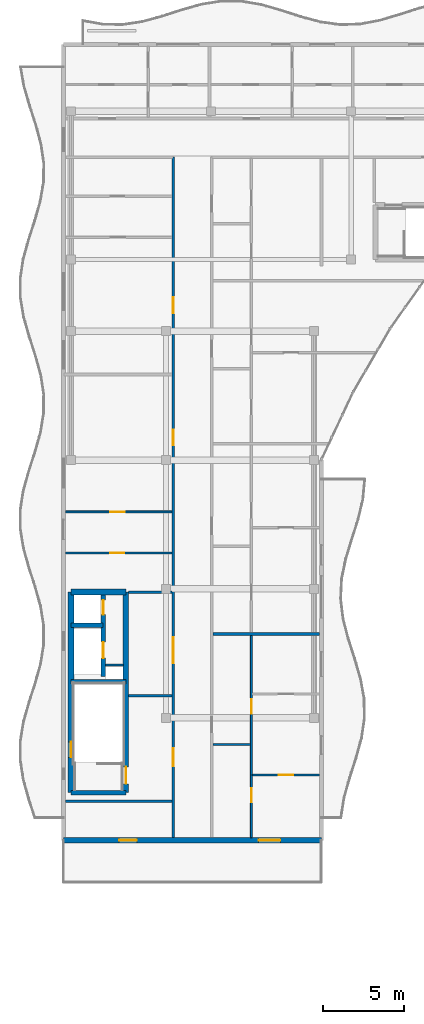
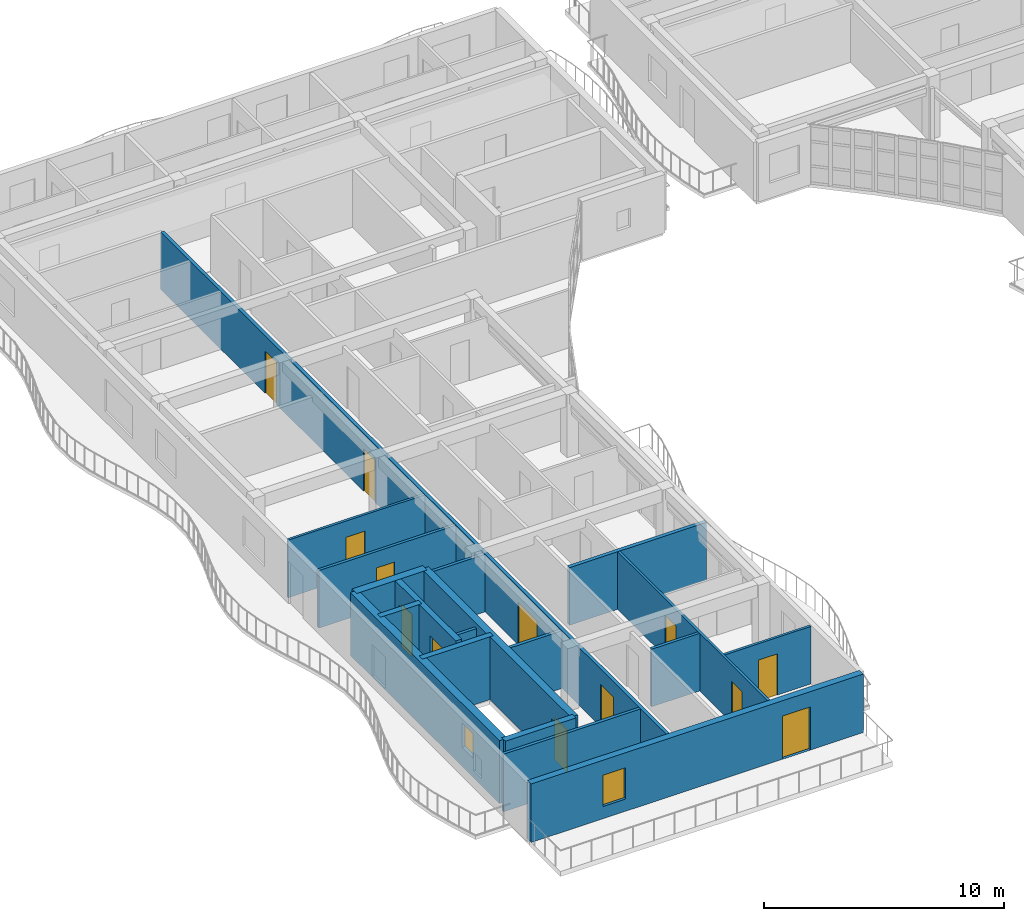
# One storey, part 28 of 68: 19 walls, 13 doors, 2 windows, 15 openings.
"""IFC4 building model written with IfcOpenShell, lengths in metres."""

from ifc_helpers import new_model, si_unit, direction, frame, frame_2d, origin, place, context, subcontext, project, spatial, rectangle, extrude, material, layer, layer_set, type_object, element, fill, save


model = new_model("IFC4")

# Units and contexts
model_context = context("Model", 3, precision=1e-05, world=origin(), true_north=direction((0.0, 1.0)))
body_context = subcontext(model_context, "Body", "Model", "MODEL_VIEW")
ifc_project = project(units=[si_unit("LENGTHUNIT", "METRE"), si_unit("AREAUNIT", "SQUARE_METRE"), si_unit("VOLUMEUNIT", "CUBIC_METRE"), si_unit("PLANEANGLEUNIT", "RADIAN"), si_unit("MASSUNIT", "GRAM", prefix="KILO")], contexts=[model_context])

# Site, building, storey
site_placement = place(None, origin())
site = spatial("IfcSite", under=ifc_project, at=site_placement, CompositionType="ELEMENT")
building_placement = place(site_placement, origin())
building = spatial("IfcBuilding", under=site, at=building_placement, Name="Keldmere Railside Commons", CompositionType="ELEMENT")
storey_placement = place(building_placement, frame((0.0, 0.0, 23.360107421875)))
storey = spatial("IfcBuildingStorey", under=building, at=storey_placement, Name="L07", CompositionType="ELEMENT", Elevation=23.360107421875)

# Wall
ifc_material_1 = material(Name="Acoustic Gypsum Board Partition", Category="gypsum")
ifc_layer_1 = layer(ifc_material_1, 0.179931640625, Name="Acoustic Demising Partition 180")
ifc_layer_set_1 = layer_set([ifc_layer_1], Name="Acoustic Gypsum Board Partition")
wall_type_1 = type_object("IfcWallType", Name="Acoustic Demising Partition 180", PredefinedType="PARTITIONING", material=ifc_layer_set_1)
wall_1_placement = place(storey_placement, frame((17.280029296875, 77.2099609375, 0.0), z_axis=(0.0, 0.0, 1.0), x_axis=(1.0, 0.0, 0.0)))
element("IfcWall", 1, at=wall_1_placement, inside=storey, type_object=wall_type_1, Name="IW-1 IW-L07-0452", PredefinedType="PARTITIONING", context=body_context, shape_type="SweptSolid", body=[
    extrude(rectangle(XDim=6.599853515625, YDim=0.179931640625, at=frame_2d((3.2998046875, 0.0))), origin(), (0.0, 0.0, 1.0), 2.934814453125),
])

# Wall, openings, doors
ifc_layer_2 = layer(ifc_material_1, 0.1201171875, Name="Apartment Interior Partition 120")
ifc_layer_set_2 = layer_set([ifc_layer_2], Name="Acoustic Gypsum Board Partition")
wall_type_2 = type_object("IfcWallType", Name="Apartment Interior Partition 120", PredefinedType="PARTITIONING", material=ifc_layer_set_2)
wall_2_placement = place(storey_placement, frame((19.659912109375, 64.56005859375, 0.0), z_axis=(0.0, 0.0, 1.0), x_axis=(0.0, 1.0, 0.0)))
wall_2 = element("IfcWall", 2, at=wall_2_placement, inside=storey, type_object=wall_type_2, Name="IW-4 IW-L07-0455", PredefinedType="PARTITIONING", context=body_context, shape_type="SweptSolid", body=[
    extrude(rectangle(XDim=12.56005859375, YDim=0.1201171875, at=frame_2d((6.280029296875, 0.0))), origin(), (0.0, 0.0, 1.0), 2.934814453125),
])
opening_1_placement = place(wall_2_placement, frame((2.1962890625, 0.0, 0.0)))
opening_1 = element("IfcOpeningElement", 3, at=opening_1_placement, cuts=wall_2, Name="Opening ID-04", PredefinedType="OPENING", context=body_context, shape_type="SweptSolid", body=[
    extrude(rectangle(XDim=0.860107421875, YDim=2.10009765625, at=frame_2d((0.43017578125, 1.050048828125))), frame((0.0, 0.070068359375, 0.0), z_axis=(0.0, -1.0, 0.0), x_axis=(1.0, 0.0, 0.0)), (0.0, 0.0, 1.0), 0.14013671875),
])
opening_2_placement = place(wall_2_placement, frame((7.678466796875, 0.0, 0.0)))
opening_2 = element("IfcOpeningElement", 4, at=opening_2_placement, cuts=wall_2, Name="Opening ID-03", PredefinedType="OPENING", context=body_context, shape_type="SweptSolid", body=[
    extrude(rectangle(XDim=0.919921875, YDim=2.10009765625, at=frame_2d((0.4599609375, 1.050048828125))), frame((0.0, 0.070068359375, 0.0), z_axis=(0.0, -1.0, 0.0), x_axis=(1.0, 0.0, 0.0)), (0.0, 0.0, 1.0), 0.14013671875),
])
ifc_material_2 = material(Name="Engineered Oak Timber", Category="wood")
door_type_1 = type_object("IfcDoorType", Name="Apartment Bathroom Door 860x2100", OperationType="NOTDEFINED", PredefinedType="DOOR", material=ifc_material_2)
door_1_placement = place(opening_1_placement, origin())
door_1 = element("IfcDoor", 5, at=door_1_placement, inside=storey, type_object=door_type_1, Name="ID-04 IDR-L07-0349", OperationType="SINGLE_SWING_LEFT", OverallHeight=2.10009765625, OverallWidth=0.860107421875, PredefinedType="DOOR", context=body_context, shape_type="SweptSolid", body=[
    extrude(rectangle(XDim=0.860107421875, YDim=2.10009765625, at=frame_2d((0.43017578125, 1.050048828125))), frame((0.0, 0.02490234375, 0.0), z_axis=(0.0, -1.0, 0.0), x_axis=(1.0, 0.0, 0.0)), (0.0, 0.0, 1.0), 0.050048828125),
])
fill(opening_1, door_1)
door_type_2 = type_object("IfcDoorType", Name="Kitchen Pocket-Frame Swing Door 920x2100", OperationType="NOTDEFINED", PredefinedType="DOOR", material=ifc_material_2)
door_2_placement = place(opening_2_placement, origin())
door_2 = element("IfcDoor", 6, at=door_2_placement, inside=storey, type_object=door_type_2, Name="ID-03 IDR-L07-0350", OperationType="SINGLE_SWING_RIGHT", OverallHeight=2.10009765625, OverallWidth=0.919921875, PredefinedType="DOOR", context=body_context, shape_type="SweptSolid", body=[
    extrude(rectangle(XDim=0.919921875, YDim=2.10009765625, at=frame_2d((0.4599609375, 1.050048828125))), frame((0.0, 0.02490234375, 0.0), z_axis=(0.0, -1.0, 0.0), x_axis=(1.0, 0.0, 0.0)), (0.0, 0.0, 1.0), 0.050048828125),
])
fill(opening_2, door_2)

# Wall, opening, door
wall_3_placement = place(storey_placement, frame((19.719970703125, 68.449951171875, 0.0), z_axis=(0.0, 0.0, 1.0), x_axis=(1.0, 0.0, 0.0)))
wall_3 = element("IfcWall", 7, at=wall_3_placement, inside=storey, type_object=wall_type_2, Name="IW-4 IW-L07-0457", PredefinedType="PARTITIONING", context=body_context, shape_type="SweptSolid", body=[
    extrude(rectangle(XDim=4.159912109375, YDim=0.1201171875, at=frame_2d((2.080078125, 0.0))), origin(), (0.0, 0.0, 1.0), 2.934814453125),
])
opening_3_placement = place(wall_3_placement, frame((1.6298828125, 0.0, 0.0)))
opening_3 = element("IfcOpeningElement", 8, at=opening_3_placement, cuts=wall_3, Name="Opening ID-01", PredefinedType="OPENING", context=body_context, shape_type="SweptSolid", body=[
    extrude(rectangle(XDim=0.89990234375, YDim=2.10009765625, at=frame_2d((0.449951171875, 1.050048828125))), frame((0.0, 0.070068359375, 0.0), z_axis=(0.0, -1.0, 0.0), x_axis=(1.0, 0.0, 0.0)), (0.0, 0.0, 1.0), 0.14013671875),
])
door_type_3 = type_object("IfcDoorType", Name="Primary Bedroom Door 900x2100", OperationType="NOTDEFINED", PredefinedType="DOOR", material=ifc_material_2)
door_3_placement = place(opening_3_placement, origin())
door_3 = element("IfcDoor", 9, at=door_3_placement, inside=storey, type_object=door_type_3, Name="ID-01 IDR-L07-0352", OperationType="SINGLE_SWING_RIGHT", OverallHeight=2.10009765625, OverallWidth=0.89990234375, PredefinedType="DOOR", context=body_context, shape_type="SweptSolid", body=[
    extrude(rectangle(XDim=0.89990234375, YDim=2.10009765625, at=frame_2d((0.449951171875, 1.050048828125))), frame((0.0, 0.02490234375, 0.0), z_axis=(0.0, -1.0, 0.0), x_axis=(1.0, 0.0, 0.0)), (0.0, 0.0, 1.0), 0.050048828125),
])
fill(opening_3, door_3)

wall_4_placement = place(storey_placement, frame((8.1201171875, 84.780029296875, 0.0), z_axis=(0.0, 0.0, 1.0), x_axis=(1.0, 0.0, 0.0)))
wall_4 = element("IfcWall", 10, at=wall_4_placement, inside=storey, type_object=wall_type_2, Name="IW-4 IW-L07-0480", PredefinedType="PARTITIONING", context=body_context, shape_type="SweptSolid", body=[
    extrude(rectangle(XDim=6.599853515625, YDim=0.1201171875, at=frame_2d((3.2998046875, 0.0))), origin(), (0.0, 0.0, 1.0), 2.934814453125),
])
opening_4_placement = place(wall_4_placement, frame((2.77197265625, 0.0, 0.0)))
opening_4 = element("IfcOpeningElement", 11, at=opening_4_placement, cuts=wall_4, Name="Opening ID-03", PredefinedType="OPENING", context=body_context, shape_type="SweptSolid", body=[
    extrude(rectangle(XDim=0.919921875, YDim=2.10009765625, at=frame_2d((0.4599609375, 1.050048828125))), frame((0.0, 0.070068359375, 0.0), z_axis=(0.0, -1.0, 0.0), x_axis=(1.0, 0.0, 0.0)), (0.0, 0.0, 1.0), 0.14013671875),
])
door_4_placement = place(opening_4_placement, origin())
door_4 = element("IfcDoor", 12, at=door_4_placement, inside=storey, type_object=door_type_2, Name="ID-03 IDR-L07-0381", OperationType="SINGLE_SWING_LEFT", OverallHeight=2.10009765625, OverallWidth=0.919921875, PredefinedType="DOOR", context=body_context, shape_type="SweptSolid", body=[
    extrude(rectangle(XDim=0.919921875, YDim=2.10009765625, at=frame_2d((0.4599609375, 1.050048828125))), frame((0.0, 0.02490234375, 0.0), z_axis=(0.0, -1.0, 0.0), x_axis=(1.0, 0.0, 0.0)), (0.0, 0.0, 1.0), 0.050048828125),
])
fill(opening_4, door_4)

# Walls
ifc_material_3 = material(Name="Concrete H-35 (C35/45)", Category="concrete")
ifc_layer_3 = layer(ifc_material_3, 0.280029296875, Name="Core Shear Wall 280")
ifc_layer_set_3 = layer_set([ifc_layer_3], Name="Concrete H-35 (C35/45)")
wall_type_3 = type_object("IfcWallType", Name="Core Shear Wall 280", PredefinedType="SHEAR", material=ifc_layer_set_3)
wall_5_placement = place(storey_placement, frame((8.4599609375, 74.239990234375, 0.0), z_axis=(0.0, 0.0, 1.0), x_axis=(1.0, 0.0, 0.0)))
element("IfcWall", 13, at=wall_5_placement, inside=storey, type_object=wall_type_3, Name="CSW-2 COREDM-L07-0115", PredefinedType="SHEAR", context=body_context, shape_type="SweptSolid", body=[
    extrude(rectangle(XDim=3.41015625, YDim=0.280029296875, at=frame_2d((1.705078125, 0.0))), origin(), (0.0, 0.0, 1.0), 3.199951171875),
])
wall_6_placement = place(storey_placement, frame((8.4599609375, 77.75, 0.0), z_axis=(0.0, 0.0, 1.0), x_axis=(1.0, 0.0, 0.0)))
element("IfcWall", 14, at=wall_6_placement, inside=storey, type_object=wall_type_3, Name="CSW-2 COREDL-L07-0116", PredefinedType="SHEAR", context=body_context, shape_type="SweptSolid", body=[
    extrude(rectangle(XDim=2.0, YDim=0.280029296875, at=frame_2d((1.0, 0.0))), origin(), (0.0, 0.0, 1.0), 3.199951171875),
])

# Wall, openings, doors
wall_7_placement = place(storey_placement, frame((10.4599609375, 74.550048828125, 0.0), z_axis=(0.0, 0.0, 1.0), x_axis=(0.0, 1.0, 0.0)))
wall_7 = element("IfcWall", 15, at=wall_7_placement, inside=storey, type_object=wall_type_3, Name="CSW-2 LSHD-L07-0117", PredefinedType="SHEAR", context=body_context, shape_type="SweptSolid", body=[
    extrude(rectangle(XDim=5.25, YDim=0.280029296875, at=frame_2d((2.625, 0.0))), origin(), (0.0, 0.0, 1.0), 3.199951171875),
])
opening_5_placement = place(wall_7_placement, frame((1.14990234375, 0.0, 0.0)))
opening_5 = element("IfcOpeningElement", 16, at=opening_5_placement, cuts=wall_7, Name="Opening LD-1", PredefinedType="OPENING", context=body_context, shape_type="SweptSolid", body=[
    extrude(rectangle(XDim=1.0, YDim=2.14990234375, at=frame_2d((0.5, 1.074951171875))), frame((0.0, 0.14990234375, 0.0), z_axis=(0.0, -1.0, 0.0), x_axis=(1.0, 0.0, 0.0)), (0.0, 0.0, 1.0), 0.300048828125),
])
opening_6_placement = place(wall_7_placement, frame((3.85009765625, 0.0, 0.0)))
opening_6 = element("IfcOpeningElement", 17, at=opening_6_placement, cuts=wall_7, Name="Opening LD-2", PredefinedType="OPENING", context=body_context, shape_type="SweptSolid", body=[
    extrude(rectangle(XDim=0.89990234375, YDim=2.14990234375, at=frame_2d((0.449951171875, 1.074951171875))), frame((0.0, 0.14990234375, 0.0), z_axis=(0.0, -1.0, 0.0), x_axis=(1.0, 0.0, 0.0)), (0.0, 0.0, 1.0), 0.300048828125),
])
ifc_material_4 = material(Name="Steel F-24 (S235)", Category="steel")
door_type_4 = type_object("IfcDoorType", Name="Firefighting Stretcher Lift Landing Door 1000x2150", OperationType="SLIDING_TO_LEFT", PredefinedType="DOOR", material=ifc_material_4)
door_5_placement = place(opening_5_placement, origin())
door_5 = element("IfcDoor", 18, at=door_5_placement, inside=storey, type_object=door_type_4, Name="LD-1 D L07", OperationType="SLIDING_TO_LEFT", OverallHeight=2.14990234375, OverallWidth=1.0, PredefinedType="DOOR", context=body_context, shape_type="SweptSolid", body=[
    extrude(rectangle(XDim=1.0, YDim=2.14990234375, at=frame_2d((0.5, 1.074951171875))), frame((0.0, 0.02490234375, 0.0), z_axis=(0.0, -1.0, 0.0), x_axis=(1.0, 0.0, 0.0)), (0.0, 0.0, 1.0), 0.050048828125),
])
fill(opening_5, door_5)
door_type_5 = type_object("IfcDoorType", Name="Passenger Lift Sliding Landing Door 900x2150", OperationType="SLIDING_TO_RIGHT", PredefinedType="DOOR", material=ifc_material_4)
door_6_placement = place(opening_6_placement, origin())
door_6 = element("IfcDoor", 19, at=door_6_placement, inside=storey, type_object=door_type_5, Name="LD-2 D L07", OperationType="SLIDING_TO_RIGHT", OverallHeight=2.14990234375, OverallWidth=0.89990234375, PredefinedType="DOOR", context=body_context, shape_type="SweptSolid", body=[
    extrude(rectangle(XDim=0.89990234375, YDim=2.14990234375, at=frame_2d((0.449951171875, 1.074951171875))), frame((0.0, 0.02490234375, 0.0), z_axis=(0.0, -1.0, 0.0), x_axis=(1.0, 0.0, 0.0)), (0.0, 0.0, 1.0), 0.050048828125),
])
fill(opening_6, door_6)

# Wall, opening, window
ifc_material_5 = material(Name="Concrete H-40 (C40/50)", Category="concrete")
ifc_layer_4 = layer(ifc_material_5, 0.3798828125, Name="Core Shear Wall 380")
ifc_layer_set_4 = layer_set([ifc_layer_4], Name="Concrete H-40 (C40/50)")
wall_type_4 = type_object("IfcWallType", Name="Core Shear Wall 380", PredefinedType="SHEAR", material=ifc_layer_set_4)
wall_8_placement = place(storey_placement, frame((8.4599609375, 67.35009765625, 0.0), z_axis=(0.0, 0.0, 1.0), x_axis=(0.0, 1.0, 0.0)))
wall_8 = element("IfcWall", 20, at=wall_8_placement, inside=storey, type_object=wall_type_4, Name="CW-CORE COREDW-L07-0111", PredefinedType="SHEAR", context=body_context, shape_type="SweptSolid", body=[
    extrude(rectangle(XDim=12.449951171875, YDim=0.3798828125, at=frame_2d((6.22509765625, 0.0))), origin(), (0.0, 0.0, 1.0), 3.199951171875),
])
opening_7_placement = place(wall_8_placement, frame((2.199951171875, 0.0, 0.969970703125)))
opening_7 = element("IfcOpeningElement", 21, at=opening_7_placement, cuts=wall_8, Name="Opening WN-17", PredefinedType="OPENING", context=body_context, shape_type="SweptSolid", body=[
    extrude(rectangle(XDim=0.949951171875, YDim=1.25, at=frame_2d((0.47509765625, 0.625))), frame((0.0, 0.199951171875, 0.0), z_axis=(0.0, -1.0, 0.0), x_axis=(1.0, 0.0, 0.0)), (0.0, 0.0, 1.0), 0.39990234375),
])
ifc_material_6 = material(Name="Low-E Insulated Double Glazing", Category="glass")
window_type_1 = type_object("IfcWindowType", Name="Stair Core Natural Smoke-Vent Window 950x1250", PartitioningType="SINGLE_PANEL", PredefinedType="WINDOW", material=ifc_material_6)
window_1_placement = place(opening_7_placement, origin())
window_1 = element("IfcWindow", 22, at=window_1_placement, inside=storey, type_object=window_type_1, Name="WN-17 WIN-L07-0014", OverallHeight=1.25, OverallWidth=0.949951171875, PartitioningType="SINGLE_PANEL", PredefinedType="WINDOW", context=body_context, shape_type="SweptSolid", body=[
    extrude(rectangle(XDim=0.949951171875, YDim=1.25, at=frame_2d((0.47509765625, 0.625))), frame((0.0, 0.030029296875, 0.0), z_axis=(0.0, -1.0, 0.0), x_axis=(1.0, 0.0, 0.0)), (0.0, 0.0, 1.0), 0.06005859375),
])
fill(opening_7, window_1)

# Wall
wall_9_placement = place(storey_placement, frame((8.4599609375, 79.800048828125, 0.0), z_axis=(0.0, 0.0, 1.0), x_axis=(1.0, 0.0, 0.0)))
element("IfcWall", 23, at=wall_9_placement, inside=storey, type_object=wall_type_4, Name="CW-CORE COREDN-L07-0112", PredefinedType="SHEAR", context=body_context, shape_type="SweptSolid", body=[
    extrude(rectangle(XDim=3.41015625, YDim=0.3798828125, at=frame_2d((1.705078125, 0.0))), origin(), (0.0, 0.0, 1.0), 3.199951171875),
])

# Wall, openings, doors
ifc_layer_5 = layer(ifc_material_1, 0.159912109375, Name="Corridor Fire Partition 160")
ifc_layer_set_5 = layer_set([ifc_layer_5], Name="Acoustic Gypsum Board Partition")
wall_type_5 = type_object("IfcWallType", Name="Corridor Fire Partition 160", PredefinedType="PARTITIONING", material=ifc_layer_set_5)
wall_10_placement = place(storey_placement, frame((14.800048828125, 64.56005859375, 0.0), z_axis=(0.0, 0.0, 1.0), x_axis=(0.0, 1.0, 0.0)))
wall_10 = element("IfcWall", 24, at=wall_10_placement, inside=storey, type_object=wall_type_5, Name="IW-2 IW-L07-0444", PredefinedType="PARTITIONING", context=body_context, shape_type="SweptSolid", body=[
    extrude(rectangle(XDim=42.239990234375, YDim=0.159912109375, at=frame_2d((21.1201171875, 0.0))), origin(), (0.0, 0.0, 1.0), 2.934814453125),
])
opening_8_placement = place(wall_10_placement, frame((4.43994140625, 0.0, 0.0)))
opening_8 = element("IfcOpeningElement", 25, at=opening_8_placement, cuts=wall_10, Name="Opening FD-2", PredefinedType="OPENING", context=body_context, shape_type="SweptSolid", body=[
    extrude(rectangle(XDim=1.10009765625, YDim=2.14990234375, at=frame_2d((0.550048828125, 1.074951171875))), frame((0.0, 0.08984375, 0.0), z_axis=(0.0, -1.0, 0.0), x_axis=(1.0, 0.0, 0.0)), (0.0, 0.0, 1.0), 0.179931640625),
])
opening_9_placement = place(wall_10_placement, frame((10.840087890625, 0.0, 0.0)))
opening_9 = element("IfcOpeningElement", 26, at=opening_9_placement, cuts=wall_10, Name="Opening FD-4", PredefinedType="OPENING", context=body_context, shape_type="SweptSolid", body=[
    extrude(rectangle(XDim=1.60009765625, YDim=2.14990234375, at=frame_2d((0.800048828125, 1.074951171875))), frame((0.0, 0.08984375, 0.0), z_axis=(0.0, -1.0, 0.0), x_axis=(1.0, 0.0, 0.0)), (0.0, 0.0, 1.0), 0.179931640625),
])
opening_10_placement = place(wall_10_placement, frame((24.344970703125, 0.0, 0.0)))
opening_10 = element("IfcOpeningElement", 27, at=opening_10_placement, cuts=wall_10, Name="Opening FD-7", PredefinedType="OPENING", context=body_context, shape_type="SweptSolid", body=[
    extrude(rectangle(XDim=0.97998046875, YDim=2.14990234375, at=frame_2d((0.489990234375, 1.074951171875))), frame((0.0, 0.08984375, 0.0), z_axis=(0.0, -1.0, 0.0), x_axis=(1.0, 0.0, 0.0)), (0.0, 0.0, 1.0), 0.179931640625),
])
opening_11_placement = place(wall_10_placement, frame((32.554931640625, 0.0, 0.0)))
opening_11 = element("IfcOpeningElement", 28, at=opening_11_placement, cuts=wall_10, Name="Opening FD-7", PredefinedType="OPENING", context=body_context, shape_type="SweptSolid", body=[
    extrude(rectangle(XDim=0.97998046875, YDim=2.14990234375, at=frame_2d((0.489990234375, 1.074951171875))), frame((0.0, 0.08984375, 0.0), z_axis=(0.0, -1.0, 0.0), x_axis=(1.0, 0.0, 0.0)), (0.0, 0.0, 1.0), 0.179931640625),
])
door_type_6 = type_object("IfcDoorType", Name="Apartment Entrance Acoustic Fire Door 980x2150", OperationType="NOTDEFINED", PredefinedType="DOOR", material=ifc_material_2)
door_7_placement = place(opening_10_placement, origin())
door_7 = element("IfcDoor", 29, at=door_7_placement, inside=storey, type_object=door_type_6, Name="FD-7 IDR-L07-0382", OperationType="SINGLE_SWING_RIGHT", OverallHeight=2.14990234375, OverallWidth=0.97998046875, PredefinedType="DOOR", context=body_context, shape_type="SweptSolid", body=[
    extrude(rectangle(XDim=0.97998046875, YDim=2.14990234375, at=frame_2d((0.489990234375, 1.074951171875))), frame((0.0, 0.02490234375, 0.0), z_axis=(0.0, -1.0, 0.0), x_axis=(1.0, 0.0, 0.0)), (0.0, 0.0, 1.0), 0.050048828125),
])
fill(opening_10, door_7)
door_8_placement = place(opening_11_placement, origin())
door_8 = element("IfcDoor", 30, at=door_8_placement, inside=storey, type_object=door_type_6, Name="FD-7 IDR-L07-0385", OperationType="SINGLE_SWING_LEFT", OverallHeight=2.14990234375, OverallWidth=0.97998046875, PredefinedType="DOOR", context=body_context, shape_type="SweptSolid", body=[
    extrude(rectangle(XDim=0.97998046875, YDim=2.14990234375, at=frame_2d((0.489990234375, 1.074951171875))), frame((0.0, 0.02490234375, 0.0), z_axis=(0.0, -1.0, 0.0), x_axis=(1.0, 0.0, 0.0)), (0.0, 0.0, 1.0), 0.050048828125),
])
fill(opening_11, door_8)
door_type_7 = type_object("IfcDoorType", Name="Corridor Cross-Compartment Double Fire Door 1600x2150", OperationType="DOUBLE_DOOR_SINGLE_SWING", PredefinedType="DOOR", material=ifc_material_4)
door_9_placement = place(opening_9_placement, origin())
door_9 = element("IfcDoor", 31, at=door_9_placement, inside=storey, type_object=door_type_7, Name="FD-4 IDR-L07-0348", OperationType="DOUBLE_DOOR_SINGLE_SWING", OverallHeight=2.14990234375, OverallWidth=1.60009765625, PredefinedType="DOOR", context=body_context, shape_type="SweptSolid", body=[
    extrude(rectangle(XDim=1.60009765625, YDim=2.14990234375, at=frame_2d((0.800048828125, 1.074951171875))), frame((0.0, 0.02490234375, 0.0), z_axis=(0.0, -1.0, 0.0), x_axis=(1.0, 0.0, 0.0)), (0.0, 0.0, 1.0), 0.050048828125),
])
fill(opening_9, door_9)
door_type_8 = type_object("IfcDoorType", Name="Firefighting Lobby Fire Door 1100x2150", OperationType="NOTDEFINED", PredefinedType="DOOR", material=ifc_material_4)
door_10_placement = place(opening_8_placement, origin())
door_10 = element("IfcDoor", 32, at=door_10_placement, inside=storey, type_object=door_type_8, Name="FD-2 IDR-L07-0347", OperationType="SINGLE_SWING_LEFT", OverallHeight=2.14990234375, OverallWidth=1.10009765625, PredefinedType="DOOR", context=body_context, shape_type="SweptSolid", body=[
    extrude(rectangle(XDim=1.10009765625, YDim=2.14990234375, at=frame_2d((0.550048828125, 1.074951171875))), frame((0.0, 0.02490234375, 0.0), z_axis=(0.0, -1.0, 0.0), x_axis=(1.0, 0.0, 0.0)), (0.0, 0.0, 1.0), 0.050048828125),
])
fill(opening_8, door_10)

# Wall, openings, window, door
ifc_layer_6 = layer(ifc_material_3, 0.320068359375, Name="Exterior Shear Wall 320")
ifc_layer_set_6 = layer_set([ifc_layer_6], Name="Concrete H-35 (C35/45)")
wall_type_6 = type_object("IfcWallType", Name="Exterior Shear Wall 320", PredefinedType="SHEAR", material=ifc_layer_set_6)
wall_11_placement = place(storey_placement, frame((24.0, 64.39990234375, 0.0), z_axis=(0.0, 0.0, 1.0), x_axis=(-1.0, 0.0, 0.0)))
wall_11 = element("IfcWall", 33, at=wall_11_placement, inside=storey, type_object=wall_type_6, Name="ESW-2 EXTD-L07-0170", PredefinedType="SHEAR", context=body_context, shape_type="SweptSolid", body=[
    extrude(rectangle(XDim=16.0, YDim=0.320068359375, at=frame_2d((8.0, 0.0))), origin(), (0.0, 0.0, 1.0), 2.97998046875),
])
opening_12_placement = place(wall_11_placement, frame((2.550048828125, 0.0, 0.0)))
opening_12 = element("IfcOpeningElement", 34, at=opening_12_placement, cuts=wall_11, Name="Opening BD-03", PredefinedType="OPENING", context=body_context, shape_type="SweptSolid", body=[
    extrude(rectangle(XDim=1.35009765625, YDim=2.199951171875, at=frame_2d((0.675048828125, 1.10009765625))), frame((0.0, 0.169921875, 0.0), z_axis=(0.0, -1.0, 0.0), x_axis=(1.0, 0.0, 0.0)), (0.0, 0.0, 1.0), 0.340087890625),
])
opening_13_placement = place(wall_11_placement, frame((11.449951171875, 0.0, 0.6201171875)))
opening_13 = element("IfcOpeningElement", 35, at=opening_13_placement, cuts=wall_11, Name="Opening WN-16", PredefinedType="OPENING", context=body_context, shape_type="SweptSolid", body=[
    extrude(rectangle(XDim=1.10009765625, YDim=1.60009765625, at=frame_2d((0.550048828125, 0.800048828125))), frame((0.0, 0.169921875, 0.0), z_axis=(0.0, -1.0, 0.0), x_axis=(1.0, 0.0, 0.0)), (0.0, 0.0, 1.0), 0.340087890625),
])
window_type_2 = type_object("IfcWindowType", Name="Corridor End Daylight Window 1100x1600", PartitioningType="SINGLE_PANEL", PredefinedType="WINDOW", material=ifc_material_6)
window_2_placement = place(opening_13_placement, origin())
window_2 = element("IfcWindow", 36, at=window_2_placement, inside=storey, type_object=window_type_2, Name="WN-16 WIN-L07-0132", OverallHeight=1.60009765625, OverallWidth=1.10009765625, PartitioningType="SINGLE_PANEL", PredefinedType="WINDOW", context=body_context, shape_type="SweptSolid", body=[
    extrude(rectangle(XDim=1.10009765625, YDim=1.60009765625, at=frame_2d((0.550048828125, 0.800048828125))), frame((0.0, 0.030029296875, 0.0), z_axis=(0.0, -1.0, 0.0), x_axis=(1.0, 0.0, 0.0)), (0.0, 0.0, 1.0), 0.06005859375),
])
fill(opening_13, window_2)
ifc_material_7 = material(Name="Thermally Broken Aluminium", Category="aluminium")
door_type_9 = type_object("IfcDoorType", Name="Planted Roof-Terrace Lounge Door 1350x2200", OperationType="NOTDEFINED", PredefinedType="DOOR", material=ifc_material_7)
door_11_placement = place(opening_12_placement, origin())
door_11 = element("IfcDoor", 37, at=door_11_placement, inside=storey, type_object=door_type_9, Name="BD-03 DR-L07-0042", OperationType="SINGLE_SWING_RIGHT", OverallHeight=2.199951171875, OverallWidth=1.35009765625, PredefinedType="DOOR", context=body_context, shape_type="SweptSolid", body=[
    extrude(rectangle(XDim=1.35009765625, YDim=2.199951171875, at=frame_2d((0.675048828125, 1.10009765625))), frame((0.0, 0.02490234375, 0.0), z_axis=(0.0, -1.0, 0.0), x_axis=(1.0, 0.0, 0.0)), (0.0, 0.0, 1.0), 0.050048828125),
])
fill(opening_12, door_11)

# Wall
ifc_layer_7 = layer(ifc_material_3, 0.300048828125, Name="Interior Shear Wall 300")
ifc_layer_set_7 = layer_set([ifc_layer_7], Name="Concrete H-35 (C35/45)")
wall_type_7 = type_object("IfcWallType", Name="Interior Shear Wall 300", PredefinedType="SHEAR", material=ifc_layer_set_7)
wall_12_placement = place(storey_placement, frame((11.8701171875, 67.35009765625, 0.0), z_axis=(0.0, 0.0, 1.0), x_axis=(-1.0, 0.0, 0.0)))
element("IfcWall", 38, at=wall_12_placement, inside=storey, type_object=wall_type_7, Name="ISW-2 COREDS-L07-0114", PredefinedType="SHEAR", context=body_context, shape_type="SweptSolid", body=[
    extrude(rectangle(XDim=3.41015625, YDim=0.300048828125, at=frame_2d((1.705078125, 0.0))), origin(), (0.0, 0.0, 1.0), 3.199951171875),
])

# Wall, opening, door
ifc_layer_8 = layer(ifc_material_3, 0.340087890625, Name="Interior Shear Wall 340")
ifc_layer_set_8 = layer_set([ifc_layer_8], Name="Concrete H-35 (C35/45)")
wall_type_8 = type_object("IfcWallType", Name="Interior Shear Wall 340", PredefinedType="SHEAR", material=ifc_layer_set_8)
wall_13_placement = place(storey_placement, frame((11.8701171875, 79.800048828125, 0.0), z_axis=(0.0, 0.0, 1.0), x_axis=(0.0, -1.0, 0.0)))
wall_13 = element("IfcWall", 39, at=wall_13_placement, inside=storey, type_object=wall_type_8, Name="ISW-1 COREDE-L07-0113", PredefinedType="SHEAR", context=body_context, shape_type="SweptSolid", body=[
    extrude(rectangle(XDim=12.449951171875, YDim=0.340087890625, at=frame_2d((6.22509765625, 0.0))), origin(), (0.0, 0.0, 1.0), 3.199951171875),
])
opening_14_placement = place(wall_13_placement, frame((10.85009765625, 0.0, 0.0)))
opening_14 = element("IfcOpeningElement", 40, at=opening_14_placement, cuts=wall_13, Name="Opening FD-1", PredefinedType="OPENING", context=body_context, shape_type="SweptSolid", body=[
    extrude(rectangle(XDim=1.050048828125, YDim=2.14990234375, at=frame_2d((0.52490234375, 1.074951171875))), frame((0.0, 0.179931640625, 0.0), z_axis=(0.0, -1.0, 0.0), x_axis=(1.0, 0.0, 0.0)), (0.0, 0.0, 1.0), 0.360107421875),
])
door_type_10 = type_object("IfcDoorType", Name="Stair Core Fire Door 1050x2150", OperationType="NOTDEFINED", PredefinedType="DOOR", material=ifc_material_4)
door_12_placement = place(opening_14_placement, origin())
door_12 = element("IfcDoor", 41, at=door_12_placement, inside=storey, type_object=door_type_10, Name="FD-1 D1 L07", OperationType="SINGLE_SWING_LEFT", OverallHeight=2.14990234375, OverallWidth=1.050048828125, PredefinedType="DOOR", context=body_context, shape_type="SweptSolid", body=[
    extrude(rectangle(XDim=1.050048828125, YDim=2.14990234375, at=frame_2d((0.52490234375, 1.074951171875))), frame((0.0, 0.02490234375, 0.0), z_axis=(0.0, -1.0, 0.0), x_axis=(1.0, 0.0, 0.0)), (0.0, 0.0, 1.0), 0.050048828125),
])
fill(opening_14, door_12)

# Walls
ifc_layer_9 = layer(ifc_material_1, 0.14990234375, Name="Lobby Rated Partition 150")
ifc_layer_set_9 = layer_set([ifc_layer_9], Name="Acoustic Gypsum Board Partition")
wall_type_9 = type_object("IfcWallType", Name="Lobby Rated Partition 150", PredefinedType="PARTITIONING", material=ifc_layer_set_9)
wall_14_placement = place(storey_placement, frame((10.60009765625, 75.280029296875, 0.0), z_axis=(0.0, 0.0, 1.0), x_axis=(1.0, 0.0, 0.0)))
element("IfcWall", 42, at=wall_14_placement, inside=storey, type_object=wall_type_9, Name="IW-3 RSRND-L07-0118", PredefinedType="PARTITIONING", context=body_context, shape_type="SweptSolid", body=[
    extrude(rectangle(XDim=1.1298828125, YDim=0.14990234375, at=frame_2d((0.56494140625, 0.0))), origin(), (0.0, 0.0, 1.0), 2.949951171875),
])
wall_15_placement = place(storey_placement, frame((8.1201171875, 66.820068359375, 0.0), z_axis=(0.0, 0.0, 1.0), x_axis=(1.0, 0.0, 0.0)))
element("IfcWall", 43, at=wall_15_placement, inside=storey, type_object=wall_type_9, Name="IW-3 IW-L07-0441", PredefinedType="PARTITIONING", context=body_context, shape_type="SweptSolid", body=[
    extrude(rectangle(XDim=6.599853515625, YDim=0.14990234375, at=frame_2d((3.2998046875, 0.0))), origin(), (0.0, 0.0, 1.0), 2.934814453125),
])
for number, where, z_axis, x_axis, name in (
    (44, (12.0400390625, 73.3798828125, 0.0), (0.0, 0.0, 1.0), (1.0, 0.0, 0.0), "IW-3 IW-L07-0442"),
    (45, (12.0400390625, 79.800048828125, 0.0), (0.0, 0.0, 1.0), (1.0, 0.0, 0.0), "IW-3 IW-L07-0443"),
):
    element("IfcWall", number, at=place(storey_placement, frame(where, z_axis=z_axis, x_axis=x_axis)), inside=storey, type_object=wall_type_9, Name=name, PredefinedType="PARTITIONING", context=body_context, shape_type="SweptSolid", body=[
        extrude(rectangle(XDim=2.679931640625, YDim=0.14990234375, at=frame_2d((1.33984375, 0.0))), origin(), (0.0, 0.0, 1.0), 2.934814453125),
    ])
ifc_layer_10 = layer(ifc_material_1, 0.139892578125, Name="Wet-Room Sanitary Partition 140")
ifc_layer_set_10 = layer_set([ifc_layer_10], Name="Acoustic Gypsum Board Partition")
wall_type_10 = type_object("IfcWallType", Name="Wet-Room Sanitary Partition 140", PredefinedType="PARTITIONING", material=ifc_layer_set_10)
wall_16_placement = place(storey_placement, frame((17.280029296875, 70.340087890625, 0.0), z_axis=(0.0, 0.0, 1.0), x_axis=(1.0, 0.0, 0.0)))
element("IfcWall", 46, at=wall_16_placement, inside=storey, type_object=wall_type_10, Name="IW-5 IW-L07-0456", PredefinedType="PARTITIONING", context=body_context, shape_type="SweptSolid", body=[
    extrude(rectangle(XDim=2.320068359375, YDim=0.139892578125, at=frame_2d((1.16015625, 0.0))), origin(), (0.0, 0.0, 1.0), 2.934814453125),
])

# Wall, opening, door
wall_17_placement = place(storey_placement, frame((8.1201171875, 82.22998046875, 0.0), z_axis=(0.0, 0.0, 1.0), x_axis=(1.0, 0.0, 0.0)))
wall_17 = element("IfcWall", 47, at=wall_17_placement, inside=storey, type_object=wall_type_10, Name="IW-5 IW-L07-0479", PredefinedType="PARTITIONING", context=body_context, shape_type="SweptSolid", body=[
    extrude(rectangle(XDim=6.599853515625, YDim=0.139892578125, at=frame_2d((3.2998046875, 0.0))), origin(), (0.0, 0.0, 1.0), 2.934814453125),
])
opening_15_placement = place(wall_17_placement, frame((2.77197265625, 0.0, 0.0)))
opening_15 = element("IfcOpeningElement", 48, at=opening_15_placement, cuts=wall_17, Name="Opening ID-04", PredefinedType="OPENING", context=body_context, shape_type="SweptSolid", body=[
    extrude(rectangle(XDim=0.860107421875, YDim=2.10009765625, at=frame_2d((0.43017578125, 1.050048828125))), frame((0.0, 0.079833984375, 0.0), z_axis=(0.0, -1.0, 0.0), x_axis=(1.0, 0.0, 0.0)), (0.0, 0.0, 1.0), 0.159912109375),
])
door_13_placement = place(opening_15_placement, origin())
door_13 = element("IfcDoor", 49, at=door_13_placement, inside=storey, type_object=door_type_1, Name="ID-04 IDR-L07-0380", OperationType="SINGLE_SWING_RIGHT", OverallHeight=2.10009765625, OverallWidth=0.860107421875, PredefinedType="DOOR", context=body_context, shape_type="SweptSolid", body=[
    extrude(rectangle(XDim=0.860107421875, YDim=2.10009765625, at=frame_2d((0.43017578125, 1.050048828125))), frame((0.0, 0.02490234375, 0.0), z_axis=(0.0, -1.0, 0.0), x_axis=(1.0, 0.0, 0.0)), (0.0, 0.0, 1.0), 0.050048828125),
])
fill(opening_15, door_13)

save(model, "model.ifc")
